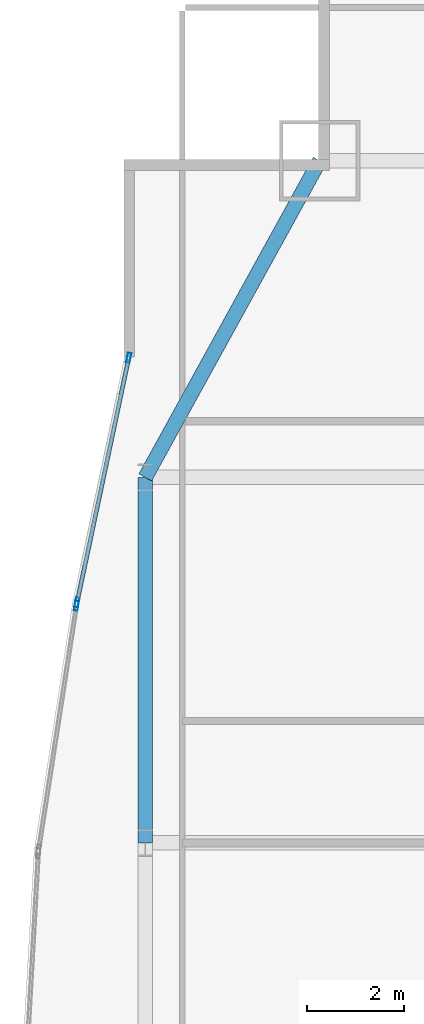
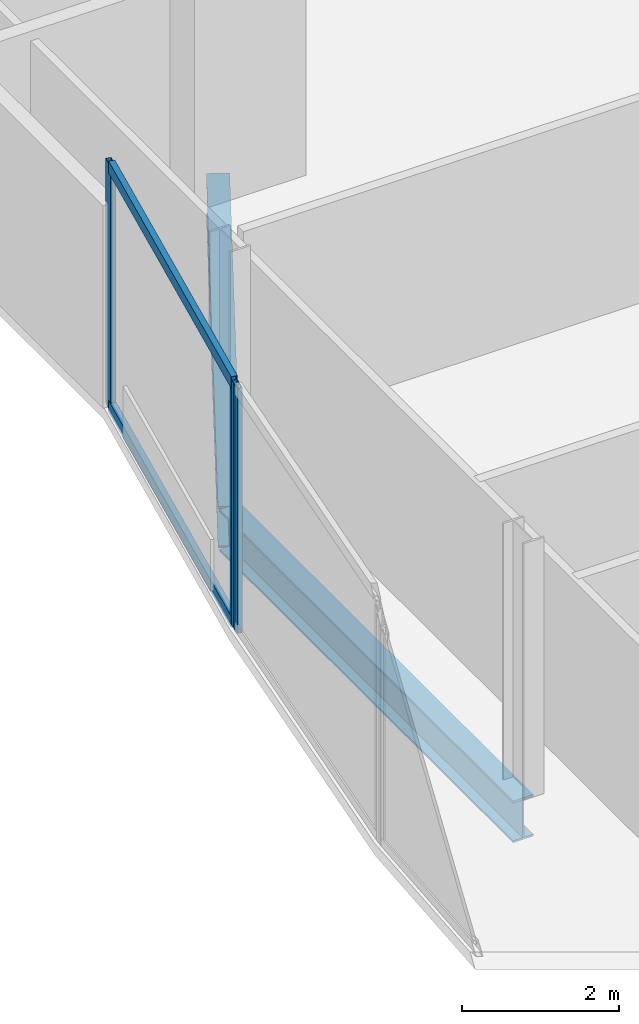
# One storey, part 16 of 35: 5 members, 2 beams, 2 elements without a shape of their own.
"""IFC4 building model written with IfcOpenShell, lengths in metres."""

from ifc_helpers import new_model, si_unit, direction, frame, origin, origin_2d, place, context, subcontext, project, spatial, hollow_rectangle, i_section, extrude, material, material_profile, profile_set, type_object, element, aggregate, save


model = new_model("IFC4")

# Units and contexts
model_context = context("Model", 3, precision=1e-05, world=origin(), true_north=direction((0.0, 1.0)))
body_context = subcontext(model_context, "Body", "Model", "MODEL_VIEW")
ifc_project = project(units=[si_unit("LENGTHUNIT", "METRE"), si_unit("AREAUNIT", "SQUARE_METRE"), si_unit("VOLUMEUNIT", "CUBIC_METRE"), si_unit("PLANEANGLEUNIT", "RADIAN"), si_unit("MASSUNIT", "GRAM", prefix="KILO")], contexts=[model_context])

# Site, building, storey
site_placement = place(None, origin())
site = spatial("IfcSite", under=ifc_project, at=site_placement, CompositionType="ELEMENT")
building_placement = place(site_placement, origin())
building = spatial("IfcBuilding", under=site, at=building_placement, Name="Khoronbel Lancet Exchange", CompositionType="ELEMENT")
storey_placement = place(building_placement, frame((0.0, 0.0, 53.800048828125)))
storey = spatial("IfcBuildingStorey", under=building, at=storey_placement, Name="L12", CompositionType="ELEMENT", Elevation=53.800048828125)

# Beams
ifc_material_1 = material(Name="Steel S355", Category="steel")
ifc_material_profile_1 = material_profile(ifc_material_1, i_section(OverallWidth=0.300048828125, OverallDepth=0.64990234375, WebThickness=0.01611328125, FlangeThickness=0.031005859375, at=origin_2d()), Name="HEB 650")
ifc_profile_set_1 = profile_set([ifc_material_profile_1], Name="Steel S355")
beam_type = type_object("IfcBeamType", Name="BM-BSP1", PredefinedType="SPANDREL", material=ifc_profile_set_1)
beam_1_placement = place(storey_placement, frame((4.85009765625, 49.699951171875, -0.505126953125), z_axis=(-0.482444051088, -0.875926787791, 0.0), x_axis=(0.875926787791, -0.482444051088, 0.0)))
element("IfcBeam", 1, at=beam_1_placement, inside=storey, type_object=beam_type, Name="Level L12 perimeter spandrel beam SP16", PredefinedType="SPANDREL", context=body_context, shape_type="SweptSolid", body=[
    extrude(i_section(OverallWidth=0.300048828125, OverallDepth=0.64990234375, WebThickness=0.01611328125, FlangeThickness=0.031005859375, at=origin_2d()), origin(), (0.0, 0.0, 1.0), 7.420654296875),
])
beam_2_placement = place(storey_placement, frame((1.27001953125, 43.199951171875, -0.505126953125), z_axis=(0.0, -1.0, 0.0), x_axis=(1.0, 0.0, 0.0)))
element("IfcBeam", 2, at=beam_2_placement, inside=storey, type_object=beam_type, Name="Level L12 perimeter spandrel beam SP17", PredefinedType="SPANDREL", context=body_context, shape_type="SweptSolid", body=[
    extrude(i_section(OverallWidth=0.300048828125, OverallDepth=0.64990234375, WebThickness=0.01611328125, FlangeThickness=0.031005859375, at=origin_2d()), origin(), (0.0, 0.0, 1.0), 7.5),
])

# Curtain wall, member
ifc_material_2 = material(Name="Low-E Solar Control Insulating Glass", Category="glass")
curtain_wall_type = type_object("IfcCurtainWallType", Name="CW-4", PredefinedType="NOTDEFINED", material=ifc_material_2)
curtain_wall_1_placement = place(storey_placement, origin())
curtain_wall_1 = element("IfcCurtainWall", 3, at=curtain_wall_1_placement, inside=storey, type_object=curtain_wall_type, Name="Unitised curtain wall CW-L12-E08", PredefinedType="NOTDEFINED")
ifc_material_3 = material(Name="Bronze-Anodised Aluminium 6063-T6", Category="aluminium")
ifc_material_profile_2 = material_profile(ifc_material_3, hollow_rectangle(XDim=0.074951171875, YDim=0.199951171875, WallThickness=0.0048828125, at=origin_2d()), Name="ALU MULLION 75x200")
ifc_profile_set_2 = profile_set([ifc_material_profile_2], Name="Bronze-Anodised Aluminium 6063-T6")
member_type_1 = type_object("IfcMemberType", Name="MEM-CWM2", PredefinedType="MULLION", material=ifc_profile_set_2)
member_1_placement = place(storey_placement, frame((-0.14208984375, 40.5634765625, 0.0), z_axis=(0.0, 0.0, 1.0), x_axis=(-0.988225870473, 0.153002055303, 0.0)))
member_1 = element("IfcMember", 4, at=member_1_placement, type_object=member_type_1, Name="CW4 mullion 2", PredefinedType="MULLION", context=body_context, shape_type="SweptSolid", body=[
    extrude(hollow_rectangle(XDim=0.074951171875, YDim=0.199951171875, WallThickness=0.0048828125, at=origin_2d()), origin(), (0.0, 0.0, 1.0), 3.820068359375),
])
aggregate(curtain_wall_1, [member_1])

# Curtain wall, members
curtain_wall_2_placement = place(storey_placement, origin())
curtain_wall_2 = element("IfcCurtainWall", 5, at=curtain_wall_2_placement, inside=storey, type_object=curtain_wall_type, Name="Unitised curtain wall CW-L12-E09", PredefinedType="NOTDEFINED")
member_2_placement = place(storey_placement, frame((-0.128662109375, 40.63720703125, 0.0), z_axis=(0.0, 0.0, 1.0), x_axis=(-0.978363397148, 0.206893845051, 0.0)))
member_2 = element("IfcMember", 6, at=member_2_placement, type_object=member_type_1, Name="CW4 mullion 1", PredefinedType="MULLION", context=body_context, shape_type="SweptSolid", body=[
    extrude(hollow_rectangle(XDim=0.074951171875, YDim=0.199951171875, WallThickness=0.0048828125, at=origin_2d()), origin(), (0.0, 0.0, 1.0), 3.820068359375),
])
member_3_placement = place(storey_placement, frame((0.93212890625, 45.65380859375, 0.0), z_axis=(0.0, 0.0, 1.0), x_axis=(-0.978363397148, 0.206893845051, 0.0)))
member_3 = element("IfcMember", 7, at=member_3_placement, type_object=member_type_1, Name="CW4 mullion 2", PredefinedType="MULLION", context=body_context, shape_type="SweptSolid", body=[
    extrude(hollow_rectangle(XDim=0.074951171875, YDim=0.199951171875, WallThickness=0.0048828125, at=origin_2d()), origin(), (0.0, 0.0, 1.0), 3.820068359375),
])
ifc_material_profile_3 = material_profile(ifc_material_3, hollow_rectangle(XDim=0.0849609375, YDim=0.179931640625, WallThickness=0.0048828125, at=origin_2d()), Name="ALU TRANSOM 85x180")
ifc_profile_set_3 = profile_set([ifc_material_profile_3], Name="Bronze-Anodised Aluminium 6063-T6")
member_type_2 = type_object("IfcMemberType", Name="MEM-CWT1", PredefinedType="USERDEFINED", material=ifc_profile_set_3)
member_4_placement = place(storey_placement, frame((-0.120849609375, 40.673828125, 0.04248046875), z_axis=(0.206901668426, 0.978361742712, 0.0), x_axis=(-0.978361742712, 0.206901668426, 0.0)))
member_4 = element("IfcMember", 8, at=member_4_placement, type_object=member_type_2, Name="CW4 transom 1.1", ObjectType="TRANSOM", PredefinedType="USERDEFINED", context=body_context, shape_type="SweptSolid", body=[
    extrude(hollow_rectangle(XDim=0.0849609375, YDim=0.179931640625, WallThickness=0.0048828125, at=origin_2d()), origin(), (0.0, 0.0, 1.0), 5.052734375),
])
member_5_placement = place(storey_placement, frame((-0.120849609375, 40.673828125, 3.77734375), z_axis=(0.206901668426, 0.978361742712, 0.0), x_axis=(-0.978361742712, 0.206901668426, 0.0)))
member_5 = element("IfcMember", 9, at=member_5_placement, type_object=member_type_2, Name="CW4 transom 1.2", ObjectType="TRANSOM", PredefinedType="USERDEFINED", context=body_context, shape_type="SweptSolid", body=[
    extrude(hollow_rectangle(XDim=0.0849609375, YDim=0.179931640625, WallThickness=0.0048828125, at=origin_2d()), origin(), (0.0, 0.0, 1.0), 5.052734375),
])
aggregate(curtain_wall_2, [member_2, member_3, member_4, member_5])

save(model, "model.ifc")
